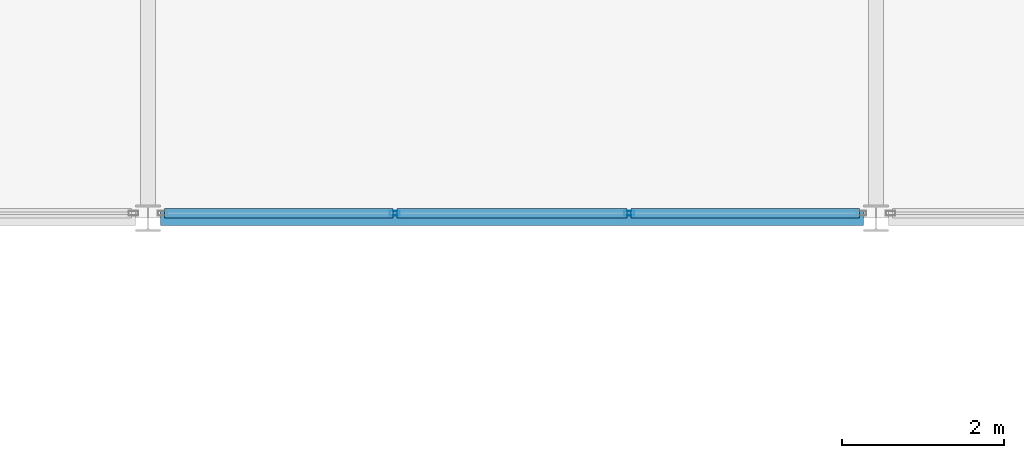
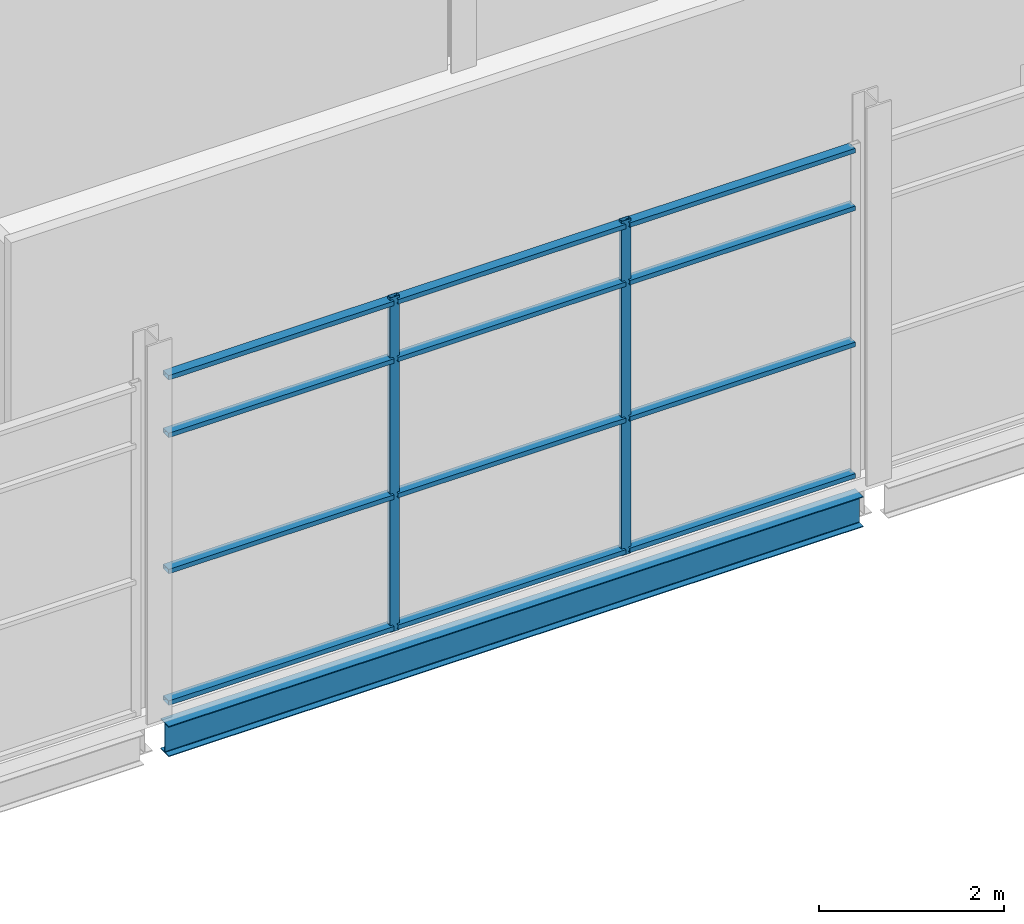
# One storey, part 44 of 112: 14 members, 1 beam, 1 element without a shape of its own.
"""IFC4 building model written with IfcOpenShell, lengths in metres."""

import ifcopenshell
import ifcopenshell.guid

model = None  # the IFC model being written
_history = None  # IfcOwnerHistory: only IFC2X3 demands one
_inside = {}  # id of a spatial element -> (the spatial element, [elements in it])
_under = {}  # id of a project, library or spatial element -> (it, [spatial elements below it])
_declared = {}  # id of a project -> (the project, [libraries it declares])
_typed = {}  # id of a type object -> (the type object, [elements of that type])
_made_of = {}  # id of a material, layer set ... -> (it, [elements and type objects made of it])


def new_model(schema):
    """Start an empty IFC model of exactly this schema.

    Asked for "IFC4X3", IfcOpenShell would pick the latest addendum, in which some entities
    have other attributes; the version numbers below select the first issue.
    IFC2X3 requires an IfcOwnerHistory on every rooted entity: one is made here for all.
    """
    global model, _history
    if schema == "IFC4X3":
        model = ifcopenshell.file(schema_version=(4, 3, 0, 0))
    else:
        model = ifcopenshell.file(schema=schema)
    _inside.clear()
    _under.clear()
    _declared.clear()
    _typed.clear()
    _made_of.clear()
    _history = None
    if model.schema == "IFC2X3":
        org = make("IfcOrganization", Name="unknown")
        user = make(
            "IfcPersonAndOrganization",
            ThePerson=make("IfcPerson", FamilyName="unknown"),
            TheOrganization=org,
        )
        app = make(
            "IfcApplication",
            ApplicationDeveloper=org,
            Version="unknown",
            ApplicationFullName="unknown",
            ApplicationIdentifier="unknown",
        )
        _history = make(
            "IfcOwnerHistory",
            OwningUser=user,
            OwningApplication=app,
            ChangeAction="ADDED",
            CreationDate=0,
        )
    return model


def make(cls, **values):
    """One entity of the class cls with the attributes given. An attribute that is None is left unset."""
    return model.create_entity(
        cls, **{name: value for name, value in values.items() if value is not None}
    )


def rooted(cls, **values):
    """An entity with a GlobalId (a new one), such as an element, a storey or a relation."""
    return make(cls, GlobalId=ifcopenshell.guid.new(), OwnerHistory=_history, **values)


def si_unit(unit_type, name, prefix=None):
    """IfcSIUnit, for example si_unit("LENGTHUNIT", "METRE", prefix="MILLI")."""
    return make("IfcSIUnit", UnitType=unit_type, Prefix=prefix, Name=name)


def assignment(units):
    """IfcUnitAssignment: the units of a project."""
    return None if units is None else make("IfcUnitAssignment", Units=units)


def point(xyz):
    """IfcCartesianPoint."""
    return None if xyz is None else make("IfcCartesianPoint", Coordinates=xyz)


def direction(xyz):
    """IfcDirection."""
    return None if xyz is None else make("IfcDirection", DirectionRatios=xyz)


def frame(location, z_axis=None, x_axis=None):
    """IfcAxis2Placement3D, a coordinate frame: its origin and axes. An axis left out is left unset."""
    return make(
        "IfcAxis2Placement3D",
        Location=point(location),
        Axis=direction(z_axis),
        RefDirection=direction(x_axis),
    )


def frame_2d(location, x_axis=None):
    """IfcAxis2Placement2D, a coordinate frame in the plane: its origin and x axis."""
    return make(
        "IfcAxis2Placement2D", Location=point(location), RefDirection=direction(x_axis)
    )


def origin():
    """The frame at (0, 0, 0) with its axes left unset."""
    return frame((0.0, 0.0, 0.0))


def origin_2d():
    """The frame at (0, 0) in the plane with its x axis left unset."""
    return frame_2d((0.0, 0.0))


def place(relative_to, where):
    """IfcLocalPlacement: puts the frame where relative to a parent placement (None: the world)."""
    return make(
        "IfcLocalPlacement", PlacementRelTo=relative_to, RelativePlacement=where
    )


def context(
    kind, dimensions, precision=None, world=None, true_north=None, identifier=None
):
    """IfcGeometricRepresentationContext, for example the 3D "Model" context."""
    return make(
        "IfcGeometricRepresentationContext",
        ContextIdentifier=identifier,
        ContextType=kind,
        CoordinateSpaceDimension=dimensions,
        Precision=precision,
        WorldCoordinateSystem=world,
        TrueNorth=true_north,
    )


def subcontext(parent, identifier, kind, view, scale=None):
    """IfcGeometricRepresentationSubContext, for example "Body" below "Model"."""
    return make(
        "IfcGeometricRepresentationSubContext",
        ContextIdentifier=identifier,
        ContextType=kind,
        ParentContext=parent,
        TargetScale=scale,
        TargetView=view,
    )


def project(units=None, contexts=None):
    """IfcProject with its units and contexts."""
    return rooted(
        "IfcProject",
        Name="project",
        RepresentationContexts=contexts,
        UnitsInContext=assignment(units),
    )


def spatial(cls, under=None, at=None, **own):
    """A site, building, storey or space (cls), placed at a placement, below another one or the project."""
    s = rooted(cls, ObjectPlacement=at, **own)
    if under is not None:
        _under.setdefault(under.id(), (under, []))[1].append(s)
    return s


def profile(cls, at=None, kind="AREA", **sizes):
    """A parametric profile (cls). Its sizes go by their IFC names, for example OverallWidth=200.0."""
    return make(cls, ProfileType=kind, Position=at, **sizes)


def hollow_rectangle(**sizes):
    """IfcRectangleHollowProfileDef."""
    return profile("IfcRectangleHollowProfileDef", **sizes)


def i_section(**sizes):
    """IfcIShapeProfileDef."""
    return profile("IfcIShapeProfileDef", **sizes)


def extrude(swept, where, along, depth):
    """IfcExtrudedAreaSolid: the profile swept, set in the frame where, extruded along a direction by depth."""
    return make(
        "IfcExtrudedAreaSolid",
        SweptArea=swept,
        Position=where,
        ExtrudedDirection=direction(along),
        Depth=depth,
    )


def shape(context_of_items, identifier, shape_type, items):
    """IfcShapeRepresentation: the items that make up one representation, for example the "Body"."""
    return make(
        "IfcShapeRepresentation",
        ContextOfItems=context_of_items,
        RepresentationIdentifier=identifier,
        RepresentationType=shape_type,
        Items=items,
    )


def material(Name=None, Category=None):
    """IfcMaterial."""
    return make("IfcMaterial", Name=Name, Category=Category)


def layer(
    of_material, thickness, ventilated=None, Name=None, Category=None, Priority=None
):
    """IfcMaterialLayer: one layer of a wall or slab, of a material (None: an air gap)."""
    return make(
        "IfcMaterialLayer",
        Material=of_material,
        LayerThickness=thickness,
        IsVentilated=ventilated,
        Name=Name,
        Category=Category,
        Priority=Priority,
    )


def layer_set(layers, Name=None):
    """IfcMaterialLayerSet."""
    return make("IfcMaterialLayerSet", MaterialLayers=layers, LayerSetName=Name)


def material_profile(
    of_material, cross_section, Name=None, Category=None, Priority=None
):
    """IfcMaterialProfile: a cross section and its material."""
    return make(
        "IfcMaterialProfile",
        Name=Name,
        Material=of_material,
        Profile=cross_section,
        Priority=Priority,
        Category=Category,
    )


def profile_set(profiles, Name=None, composite=None):
    """IfcMaterialProfileSet."""
    return make(
        "IfcMaterialProfileSet",
        Name=Name,
        MaterialProfiles=profiles,
        CompositeProfile=composite,
    )


def made_of(thing, what):
    """Note that an element or type object is made of a material, layer set ...; save() writes the relation."""
    if what is not None:
        _made_of.setdefault(what.id(), (what, []))[1].append(thing)
    return thing


def type_object(cls, material=None, **own):
    """A type object (cls), such as IfcWallType, which elements share."""
    return made_of(rooted(cls, **own), material)


def element(
    cls,
    number,
    at=None,
    inside=None,
    cuts=None,
    type_object=None,
    material=None,
    context=None,
    identifier="Body",
    shape_type=None,
    held_by="IfcProductDefinitionShape",
    body=None,
    shapes=None,
    **own,
):
    """One element of the class cls, such as IfcWall. Its Tag is "e" and its number.

    at: its placement. inside: the storey or other place that contains it. cuts: it is an
    opening in that element (IfcRelVoidsElement). A single representation is given by context,
    identifier, shape_type and body (its items); several are given by shapes. held_by: the class
    of the entity that holds the representations. save() writes the other relations.
    """
    e = rooted(cls, Tag="e%d" % number, ObjectPlacement=at, **own)
    if body is not None:
        shapes = [shape(context, identifier, shape_type, body)]
    if shapes is not None:
        e.Representation = make(held_by, Representations=shapes)
    if inside is not None:
        _inside.setdefault(inside.id(), (inside, []))[1].append(e)
    if cuts is not None:
        rooted(
            "IfcRelVoidsElement", RelatingBuildingElement=cuts, RelatedOpeningElement=e
        )
    if type_object is not None:
        _typed.setdefault(type_object.id(), (type_object, []))[1].append(e)
    return made_of(e, material)


def aggregate(whole, parts):
    """IfcRelAggregates: a whole, such as a stair, and the parts it consists of."""
    return rooted("IfcRelAggregates", RelatingObject=whole, RelatedObjects=parts)


def save(model, path):
    """Write the relations noted so far, then the file.

    IfcRelAggregates (storeys below a building ...), IfcRelContainedInSpatialStructure (elements
    in a storey), IfcRelDefinesByType, IfcRelAssociatesMaterial and IfcRelDeclares: one each for
    every whole, place, type object, material and project.
    """
    for whole, parts in _under.values():
        aggregate(whole, parts)
    for where, things in _inside.values():
        rooted(
            "IfcRelContainedInSpatialStructure",
            RelatedElements=things,
            RelatingStructure=where,
        )
    for kind, things in _typed.values():
        rooted("IfcRelDefinesByType", RelatedObjects=things, RelatingType=kind)
    for what, things in _made_of.values():
        rooted("IfcRelAssociatesMaterial", RelatedObjects=things, RelatingMaterial=what)
    for by, libraries in _declared.values():
        rooted("IfcRelDeclares", RelatingContext=by, RelatedDefinitions=libraries)
    model.write(path)


model = new_model("IFC4")

# Units and contexts
model_context = context("Model", 3, precision=1e-05, world=origin(), true_north=direction((0.0, 1.0)))
body_context = subcontext(model_context, "Body", "Model", "MODEL_VIEW")
ifc_project = project(units=[si_unit("LENGTHUNIT", "METRE"), si_unit("AREAUNIT", "SQUARE_METRE"), si_unit("VOLUMEUNIT", "CUBIC_METRE"), si_unit("PLANEANGLEUNIT", "RADIAN"), si_unit("MASSUNIT", "GRAM", prefix="KILO")], contexts=[model_context])

# Site, building, storey
site_placement = place(None, origin())
site = spatial("IfcSite", under=ifc_project, at=site_placement, CompositionType="ELEMENT")
building_placement = place(site_placement, origin())
building = spatial("IfcBuilding", under=site, at=building_placement, Name="Shorebreak Coast Museum", CompositionType="ELEMENT")
storey_placement = place(building_placement, frame((0.0, 0.0, 6.0)))
storey = spatial("IfcBuildingStorey", under=building, at=storey_placement, Name="L01", CompositionType="ELEMENT", Elevation=6.0)

# Beam
ifc_material_1 = material(Name="Steel Grade 300", Category="steel")
ifc_material_profile_1 = material_profile(ifc_material_1, i_section(OverallWidth=0.177978515625, OverallDepth=0.402587890625, WebThickness=0.007568359375, FlangeThickness=0.010986328125, FilletRadius=0.011474609375, at=origin_2d()), Name="410UB53.7")
ifc_profile_set_1 = profile_set([ifc_material_profile_1], Name="Steel Grade 300")
beam_type = type_object("IfcBeamType", Name="Floor girder east-west 410UB53.7", PredefinedType="BEAM", material=ifc_profile_set_1)
beam_placement = place(storey_placement, frame((72.155517578125, 81.0, -0.376220703125), z_axis=(1.0, 0.0, 0.0), x_axis=(0.0, 1.0, 0.0)))
element("IfcBeam", 1, at=beam_placement, inside=storey, type_object=beam_type, Name="Floor girder east-west L01 9K", PredefinedType="BEAM", context=body_context, shape_type="SweptSolid", body=[
    extrude(i_section(OverallWidth=0.177978515625, OverallDepth=0.402587890625, WebThickness=0.007568359375, FlangeThickness=0.010986328125, FilletRadius=0.011474609375, at=origin_2d()), origin(), (0.0, 0.0, 1.0), 8.68896484375),
])

# Curtain wall, members
ifc_material_2 = material(Name="Aluminium", Category="aluminium")
ifc_layer = layer(ifc_material_2, 0.1201171875)
ifc_layer_set = layer_set([ifc_layer], Name="Aluminium")
curtain_wall_type = type_object("IfcCurtainWallType", Name="Atrium fire screen", PredefinedType="NOTDEFINED", material=ifc_layer_set)
curtain_wall_placement = place(storey_placement, origin())
curtain_wall = element("IfcCurtainWall", 2, at=curtain_wall_placement, inside=storey, type_object=curtain_wall_type, Name="Atrium screen L01 N 8", PredefinedType="NOTDEFINED")
ifc_material_3 = material(Name="Aluminium", Category="aluminium")
ifc_material_profile_2 = material_profile(ifc_material_3, hollow_rectangle(XDim=0.06005859375, YDim=0.1201171875, WallThickness=0.00341796875, at=origin_2d()), Name="AL 120x60 RHS")
ifc_profile_set_2 = profile_set([ifc_material_profile_2], Name="Aluminium")
member_type_1 = type_object("IfcMemberType", Name="Screen mullion 50 x 120", PredefinedType="MULLION", material=ifc_profile_set_2)
member_1_placement = place(storey_placement, frame((75.0517578125, 81.06005859375, 0.0), z_axis=(0.0, 0.0, 1.0), x_axis=(0.0, 1.0, 0.0)))
member_1 = element("IfcMember", 3, at=member_1_placement, type_object=member_type_1, Name="CW6 mullion 2", PredefinedType="MULLION", context=body_context, shape_type="SweptSolid", body=[
    extrude(hollow_rectangle(XDim=0.06005859375, YDim=0.1201171875, WallThickness=0.00341796875, at=origin_2d()), origin(), (0.0, 0.0, 1.0), 4.42236328125),
])
member_2_placement = place(storey_placement, frame((77.9482421875, 81.06005859375, 0.0), z_axis=(0.0, 0.0, 1.0), x_axis=(0.0, 1.0, 0.0)))
member_2 = element("IfcMember", 4, at=member_2_placement, type_object=member_type_1, Name="CW6 mullion 3", PredefinedType="MULLION", context=body_context, shape_type="SweptSolid", body=[
    extrude(hollow_rectangle(XDim=0.06005859375, YDim=0.1201171875, WallThickness=0.00341796875, at=origin_2d()), origin(), (0.0, 0.0, 1.0), 4.42236328125),
])
ifc_material_4 = material(Name="Aluminium", Category="aluminium")
ifc_material_profile_3 = material_profile(ifc_material_4, hollow_rectangle(XDim=0.1201171875, YDim=0.06005859375, WallThickness=0.00341796875, at=origin_2d()), Name="AL 60x120 RHS")
ifc_profile_set_3 = profile_set([ifc_material_profile_3], Name="Aluminium")
member_type_2 = type_object("IfcMemberType", Name="Screen transom 120 x 50", PredefinedType="USERDEFINED", material=ifc_profile_set_3)
member_3_placement = place(storey_placement, frame((72.20556640625, 81.06005859375, 0.06005859375), z_axis=(1.0, 0.0, 0.0), x_axis=(0.0, 1.0, 0.0)))
member_3 = element("IfcMember", 5, at=member_3_placement, type_object=member_type_2, Name="CW6 transom 1.1", ObjectType="TRANSOM", PredefinedType="USERDEFINED", context=body_context, shape_type="SweptSolid", body=[
    extrude(hollow_rectangle(XDim=0.1201171875, YDim=0.06005859375, WallThickness=0.00341796875, at=origin_2d()), origin(), (0.0, 0.0, 1.0), 2.8212890625),
])
member_4_placement = place(storey_placement, frame((72.20556640625, 81.06005859375, 1.800048828125), z_axis=(1.0, 0.0, 0.0), x_axis=(0.0, 1.0, 0.0)))
member_4 = element("IfcMember", 6, at=member_4_placement, type_object=member_type_2, Name="CW6 transom 1.2", ObjectType="TRANSOM", PredefinedType="USERDEFINED", context=body_context, shape_type="SweptSolid", body=[
    extrude(hollow_rectangle(XDim=0.1201171875, YDim=0.06005859375, WallThickness=0.00341796875, at=origin_2d()), origin(), (0.0, 0.0, 1.0), 2.8212890625),
])
member_5_placement = place(storey_placement, frame((72.20556640625, 81.06005859375, 3.60009765625), z_axis=(1.0, 0.0, 0.0), x_axis=(0.0, 1.0, 0.0)))
member_5 = element("IfcMember", 7, at=member_5_placement, type_object=member_type_2, Name="CW6 transom 1.3", ObjectType="TRANSOM", PredefinedType="USERDEFINED", context=body_context, shape_type="SweptSolid", body=[
    extrude(hollow_rectangle(XDim=0.1201171875, YDim=0.06005859375, WallThickness=0.00341796875, at=origin_2d()), origin(), (0.0, 0.0, 1.0), 2.8212890625),
])
member_6_placement = place(storey_placement, frame((72.20556640625, 81.06005859375, 4.3623046875), z_axis=(1.0, 0.0, 0.0), x_axis=(0.0, 1.0, 0.0)))
member_6 = element("IfcMember", 8, at=member_6_placement, type_object=member_type_2, Name="CW6 transom 1.4", ObjectType="TRANSOM", PredefinedType="USERDEFINED", context=body_context, shape_type="SweptSolid", body=[
    extrude(hollow_rectangle(XDim=0.1201171875, YDim=0.06005859375, WallThickness=0.00341796875, at=origin_2d()), origin(), (0.0, 0.0, 1.0), 2.8212890625),
])
member_7_placement = place(storey_placement, frame((75.076904296875, 81.06005859375, 0.06005859375), z_axis=(1.0, 0.0, 0.0), x_axis=(0.0, 1.0, 0.0)))
member_7 = element("IfcMember", 9, at=member_7_placement, type_object=member_type_2, Name="CW6 transom 2.1", ObjectType="TRANSOM", PredefinedType="USERDEFINED", context=body_context, shape_type="SweptSolid", body=[
    extrude(hollow_rectangle(XDim=0.1201171875, YDim=0.06005859375, WallThickness=0.00341796875, at=origin_2d()), origin(), (0.0, 0.0, 1.0), 2.84619140625),
])
member_8_placement = place(storey_placement, frame((75.076904296875, 81.06005859375, 1.800048828125), z_axis=(1.0, 0.0, 0.0), x_axis=(0.0, 1.0, 0.0)))
member_8 = element("IfcMember", 10, at=member_8_placement, type_object=member_type_2, Name="CW6 transom 2.2", ObjectType="TRANSOM", PredefinedType="USERDEFINED", context=body_context, shape_type="SweptSolid", body=[
    extrude(hollow_rectangle(XDim=0.1201171875, YDim=0.06005859375, WallThickness=0.00341796875, at=origin_2d()), origin(), (0.0, 0.0, 1.0), 2.84619140625),
])
member_9_placement = place(storey_placement, frame((75.076904296875, 81.06005859375, 3.60009765625), z_axis=(1.0, 0.0, 0.0), x_axis=(0.0, 1.0, 0.0)))
member_9 = element("IfcMember", 11, at=member_9_placement, type_object=member_type_2, Name="CW6 transom 2.3", ObjectType="TRANSOM", PredefinedType="USERDEFINED", context=body_context, shape_type="SweptSolid", body=[
    extrude(hollow_rectangle(XDim=0.1201171875, YDim=0.06005859375, WallThickness=0.00341796875, at=origin_2d()), origin(), (0.0, 0.0, 1.0), 2.84619140625),
])
member_10_placement = place(storey_placement, frame((75.076904296875, 81.06005859375, 4.3623046875), z_axis=(1.0, 0.0, 0.0), x_axis=(0.0, 1.0, 0.0)))
member_10 = element("IfcMember", 12, at=member_10_placement, type_object=member_type_2, Name="CW6 transom 2.4", ObjectType="TRANSOM", PredefinedType="USERDEFINED", context=body_context, shape_type="SweptSolid", body=[
    extrude(hollow_rectangle(XDim=0.1201171875, YDim=0.06005859375, WallThickness=0.00341796875, at=origin_2d()), origin(), (0.0, 0.0, 1.0), 2.84619140625),
])
member_11_placement = place(storey_placement, frame((77.97314453125, 81.06005859375, 0.06005859375), z_axis=(1.0, 0.0, 0.0), x_axis=(0.0, 1.0, 0.0)))
member_11 = element("IfcMember", 13, at=member_11_placement, type_object=member_type_2, Name="CW6 transom 3.1", ObjectType="TRANSOM", PredefinedType="USERDEFINED", context=body_context, shape_type="SweptSolid", body=[
    extrude(hollow_rectangle(XDim=0.1201171875, YDim=0.06005859375, WallThickness=0.00341796875, at=origin_2d()), origin(), (0.0, 0.0, 1.0), 2.8212890625),
])
member_12_placement = place(storey_placement, frame((77.97314453125, 81.06005859375, 1.800048828125), z_axis=(1.0, 0.0, 0.0), x_axis=(0.0, 1.0, 0.0)))
member_12 = element("IfcMember", 14, at=member_12_placement, type_object=member_type_2, Name="CW6 transom 3.2", ObjectType="TRANSOM", PredefinedType="USERDEFINED", context=body_context, shape_type="SweptSolid", body=[
    extrude(hollow_rectangle(XDim=0.1201171875, YDim=0.06005859375, WallThickness=0.00341796875, at=origin_2d()), origin(), (0.0, 0.0, 1.0), 2.8212890625),
])
member_13_placement = place(storey_placement, frame((77.97314453125, 81.06005859375, 3.60009765625), z_axis=(1.0, 0.0, 0.0), x_axis=(0.0, 1.0, 0.0)))
member_13 = element("IfcMember", 15, at=member_13_placement, type_object=member_type_2, Name="CW6 transom 3.3", ObjectType="TRANSOM", PredefinedType="USERDEFINED", context=body_context, shape_type="SweptSolid", body=[
    extrude(hollow_rectangle(XDim=0.1201171875, YDim=0.06005859375, WallThickness=0.00341796875, at=origin_2d()), origin(), (0.0, 0.0, 1.0), 2.8212890625),
])
member_14_placement = place(storey_placement, frame((77.97314453125, 81.06005859375, 4.3623046875), z_axis=(1.0, 0.0, 0.0), x_axis=(0.0, 1.0, 0.0)))
member_14 = element("IfcMember", 16, at=member_14_placement, type_object=member_type_2, Name="CW6 transom 3.4", ObjectType="TRANSOM", PredefinedType="USERDEFINED", context=body_context, shape_type="SweptSolid", body=[
    extrude(hollow_rectangle(XDim=0.1201171875, YDim=0.06005859375, WallThickness=0.00341796875, at=origin_2d()), origin(), (0.0, 0.0, 1.0), 2.8212890625),
])
aggregate(curtain_wall, [member_1, member_2, member_3, member_4, member_5, member_6, member_7, member_8, member_9, member_10, member_11, member_12, member_13, member_14])

save(model, "model.ifc")
